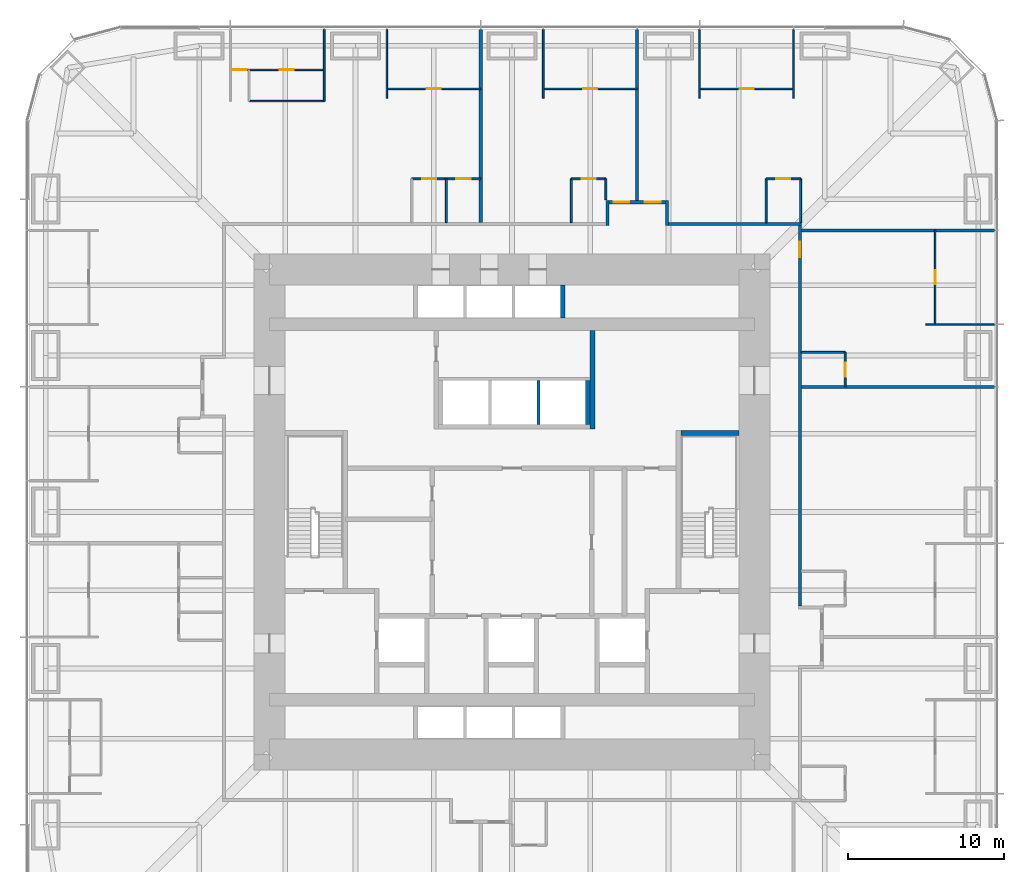
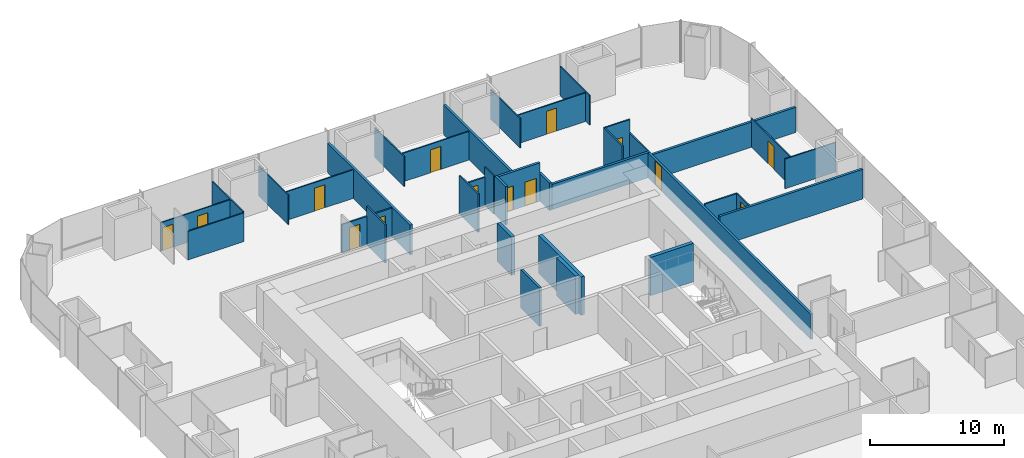
# One storey, part 15 of 17: 36 walls, 14 doors, 14 openings.
"""IFC4 building model written with IfcOpenShell, lengths in metres."""

from ifc_helpers import new_model, si_unit, direction, frame, frame_2d, origin, place, context, subcontext, project, spatial, rectangle, extrude, material, layer, layer_set, type_object, element, fill, save


model = new_model("IFC4")

# Units and contexts
model_context = context("Model", 3, precision=1e-05, world=origin(), true_north=direction((0.0, 1.0)))
body_context = subcontext(model_context, "Body", "Model", "MODEL_VIEW")
ifc_project = project(units=[si_unit("LENGTHUNIT", "METRE"), si_unit("AREAUNIT", "SQUARE_METRE"), si_unit("VOLUMEUNIT", "CUBIC_METRE"), si_unit("PLANEANGLEUNIT", "RADIAN"), si_unit("MASSUNIT", "GRAM", prefix="KILO")], contexts=[model_context])

# Site, building, storey
site_placement = place(None, origin())
site = spatial("IfcSite", under=ifc_project, at=site_placement, CompositionType="ELEMENT")
building_placement = place(site_placement, origin())
building = spatial("IfcBuilding", under=site, at=building_placement, Name="Khuree Lantern Residences", CompositionType="ELEMENT")
storey_placement = place(building_placement, frame((0.0, 0.0, 88.5)))
storey = spatial("IfcBuildingStorey", under=building, at=storey_placement, Name="L22", CompositionType="ELEMENT", Elevation=88.5)

# Wall, opening, door
ifc_material_1 = material(Name="Moisture-resistant gypsum board on steel studs", Category="steel")
ifc_layer_1 = layer(ifc_material_1, 0.125)
ifc_layer_set_1 = layer_set([ifc_layer_1], Name="BATHROOM WALL BTW125")
wall_type_1 = type_object("IfcWallType", Name="BATHROOM WALL BTW125", PredefinedType="PARTITIONING", material=ifc_layer_set_1)
wall_1_placement = place(storey_placement, frame((21.300048828125, 8.0, 0.0), z_axis=(0.0, 0.0, 1.0), x_axis=(0.0, 1.0, 0.0)))
wall_1 = element("IfcWall", 1, at=wall_1_placement, inside=storey, type_object=wall_type_1, Name="L22 BATHROOM WALL 02", PredefinedType="PARTITIONING", context=body_context, shape_type="SweptSolid", body=[
    extrude(rectangle(XDim=2.199951171875, YDim=0.125, at=frame_2d((1.10009765625, 0.0))), origin(), (0.0, 0.0, 1.0), 2.491943359375),
])
opening_1_placement = place(wall_1_placement, frame((0.64990234375, 0.0, 0.0)))
opening_1 = element("IfcOpeningElement", 2, at=opening_1_placement, cuts=wall_1, Name="Opening 22-025", PredefinedType="OPENING", context=body_context, shape_type="SweptSolid", body=[
    extrude(rectangle(XDim=0.89990234375, YDim=2.10009765625, at=frame_2d((0.449951171875, 1.050048828125))), frame((0.0, 0.072509765625, 0.0), z_axis=(0.0, -1.0, 0.0), x_axis=(1.0, 0.0, 0.0)), (0.0, 0.0, 1.0), 0.14501953125),
])
ifc_material_2 = material(Name="Timber door leaf in hardwood frame", Category="wood")
door_type_1 = type_object("IfcDoorType", Name="BATHROOM DOOR 900X2100", OperationType="SINGLE_SWING_LEFT", PredefinedType="DOOR", material=ifc_material_2)
door_1_placement = place(opening_1_placement, origin())
door_1 = element("IfcDoor", 3, at=door_1_placement, inside=storey, type_object=door_type_1, Name="Bathroom door 22-025", OperationType="SINGLE_SWING_LEFT", OverallHeight=2.10009765625, OverallWidth=0.89990234375, PredefinedType="DOOR", context=body_context, shape_type="SweptSolid", body=[
    extrude(rectangle(XDim=0.89990234375, YDim=2.10009765625, at=frame_2d((0.449951171875, 1.050048828125))), frame((0.0, 0.02490234375, 0.0), z_axis=(0.0, -1.0, 0.0), x_axis=(1.0, 0.0, 0.0)), (0.0, 0.0, 1.0), 0.050048828125),
])
fill(opening_1, door_1)

# Wall
wall_2_placement = place(storey_placement, frame((18.5, 10.199951171875, 0.0), z_axis=(0.0, 0.0, 1.0), x_axis=(1.0, 0.0, 0.0)))
element("IfcWall", 4, at=wall_2_placement, inside=storey, type_object=wall_type_1, Name="L22 BATHROOM WALL 02", PredefinedType="PARTITIONING", context=body_context, shape_type="SweptSolid", body=[
    extrude(rectangle(XDim=2.800048828125, YDim=0.125, at=frame_2d((1.39990234375, 0.0))), origin(), (0.0, 0.0, 1.0), 2.491943359375),
])

# Wall, opening, door
wall_3_placement = place(storey_placement, frame((18.449951171875, 21.300048828125, 0.0), z_axis=(0.0, 0.0, 1.0), x_axis=(-1.0, 0.0, 0.0)))
wall_3 = element("IfcWall", 5, at=wall_3_placement, inside=storey, type_object=wall_type_1, Name="L22 BATHROOM WALL 03", PredefinedType="PARTITIONING", context=body_context, shape_type="SweptSolid", body=[
    extrude(rectangle(XDim=2.199951171875, YDim=0.125, at=frame_2d((1.10009765625, 0.0))), origin(), (0.0, 0.0, 1.0), 3.5),
])
opening_2_placement = place(wall_3_placement, frame((0.64990234375, 0.0, 0.0)))
opening_2 = element("IfcOpeningElement", 6, at=opening_2_placement, cuts=wall_3, Name="Opening 22-028", PredefinedType="OPENING", context=body_context, shape_type="SweptSolid", body=[
    extrude(rectangle(XDim=0.89990234375, YDim=2.10009765625, at=frame_2d((0.449951171875, 1.050048828125))), frame((0.0, 0.072509765625, 0.0), z_axis=(0.0, -1.0, 0.0), x_axis=(1.0, 0.0, 0.0)), (0.0, 0.0, 1.0), 0.14501953125),
])
door_2_placement = place(opening_2_placement, origin())
door_2 = element("IfcDoor", 7, at=door_2_placement, inside=storey, type_object=door_type_1, Name="Bathroom door 22-028", OperationType="SINGLE_SWING_LEFT", OverallHeight=2.10009765625, OverallWidth=0.89990234375, PredefinedType="DOOR", context=body_context, shape_type="SweptSolid", body=[
    extrude(rectangle(XDim=0.89990234375, YDim=2.10009765625, at=frame_2d((0.449951171875, 1.050048828125))), frame((0.0, 0.02490234375, 0.0), z_axis=(0.0, -1.0, 0.0), x_axis=(1.0, 0.0, 0.0)), (0.0, 0.0, 1.0), 0.050048828125),
])
fill(opening_2, door_2)

# Walls
wall_4_placement = place(storey_placement, frame((18.449951171875, 18.5, 0.0), z_axis=(0.0, 0.0, 1.0), x_axis=(0.0, 1.0, 0.0)))
element("IfcWall", 8, at=wall_4_placement, inside=storey, type_object=wall_type_1, Name="L22 BATHROOM WALL 03", PredefinedType="PARTITIONING", context=body_context, shape_type="SweptSolid", body=[
    extrude(rectangle(XDim=2.800048828125, YDim=0.125, at=frame_2d((1.39990234375, 0.0))), origin(), (0.0, 0.0, 1.0), 2.300048828125),
])
wall_5_placement = place(storey_placement, frame((16.25, 18.5, 0.0), z_axis=(0.0, 0.0, 1.0), x_axis=(0.0, 1.0, 0.0)))
element("IfcWall", 9, at=wall_5_placement, inside=storey, type_object=wall_type_1, Name="L22 BATHROOM WALL 03", PredefinedType="PARTITIONING", context=body_context, shape_type="SweptSolid", body=[
    extrude(rectangle(XDim=2.800048828125, YDim=0.125, at=frame_2d((1.39990234375, 0.0))), origin(), (0.0, 0.0, 1.0), 3.5),
])

# Wall, opening, door
wall_6_placement = place(storey_placement, frame((6.0, 21.300048828125, 0.0), z_axis=(0.0, 0.0, 1.0), x_axis=(-1.0, 0.0, 0.0)))
wall_6 = element("IfcWall", 10, at=wall_6_placement, inside=storey, type_object=wall_type_1, Name="L22 BATHROOM WALL 04", PredefinedType="PARTITIONING", context=body_context, shape_type="SweptSolid", body=[
    extrude(rectangle(XDim=2.199951171875, YDim=0.125, at=frame_2d((1.10009765625, 0.0))), origin(), (0.0, 0.0, 1.0), 2.610107421875),
])
opening_3_placement = place(wall_6_placement, frame((0.64990234375, 0.0, 0.0)))
opening_3 = element("IfcOpeningElement", 11, at=opening_3_placement, cuts=wall_6, Name="Opening 22-031", PredefinedType="OPENING", context=body_context, shape_type="SweptSolid", body=[
    extrude(rectangle(XDim=0.89990234375, YDim=2.10009765625, at=frame_2d((0.449951171875, 1.050048828125))), frame((0.0, 0.072509765625, 0.0), z_axis=(0.0, -1.0, 0.0), x_axis=(1.0, 0.0, 0.0)), (0.0, 0.0, 1.0), 0.14501953125),
])
door_3_placement = place(opening_3_placement, origin())
door_3 = element("IfcDoor", 12, at=door_3_placement, inside=storey, type_object=door_type_1, Name="Bathroom door 22-031", OperationType="SINGLE_SWING_LEFT", OverallHeight=2.10009765625, OverallWidth=0.89990234375, PredefinedType="DOOR", context=body_context, shape_type="SweptSolid", body=[
    extrude(rectangle(XDim=0.89990234375, YDim=2.10009765625, at=frame_2d((0.449951171875, 1.050048828125))), frame((0.0, 0.02490234375, 0.0), z_axis=(0.0, -1.0, 0.0), x_axis=(1.0, 0.0, 0.0)), (0.0, 0.0, 1.0), 0.050048828125),
])
fill(opening_3, door_3)

# Walls
wall_7_placement = place(storey_placement, frame((6.0, 19.969970703125, 0.0), z_axis=(0.0, 0.0, 1.0), x_axis=(0.0, 1.0, 0.0)))
element("IfcWall", 13, at=wall_7_placement, inside=storey, type_object=wall_type_1, Name="L22 BATHROOM WALL 04", PredefinedType="PARTITIONING", context=body_context, shape_type="SweptSolid", body=[
    extrude(rectangle(XDim=1.330078125, YDim=0.125, at=frame_2d((0.6650390625, 0.0))), origin(), (0.0, 0.0, 1.0), 3.5),
])
wall_8_placement = place(storey_placement, frame((3.800048828125, 18.5, 0.0), z_axis=(0.0, 0.0, 1.0), x_axis=(0.0, 1.0, 0.0)))
element("IfcWall", 14, at=wall_8_placement, inside=storey, type_object=wall_type_1, Name="L22 BATHROOM WALL 04", PredefinedType="PARTITIONING", context=body_context, shape_type="SweptSolid", body=[
    extrude(rectangle(XDim=2.800048828125, YDim=0.125, at=frame_2d((1.39990234375, 0.0))), origin(), (0.0, 0.0, 1.0), 3.5),
])

# Wall, openings, doors
wall_9_placement = place(storey_placement, frame((-2.0, 21.300048828125, 0.0), z_axis=(0.0, 0.0, 1.0), x_axis=(-1.0, 0.0, 0.0)))
wall_9 = element("IfcWall", 15, at=wall_9_placement, inside=storey, type_object=wall_type_1, Name="L22 BATHROOM WALL 05", PredefinedType="PARTITIONING", context=body_context, shape_type="SweptSolid", body=[
    extrude(rectangle(XDim=4.39990234375, YDim=0.125, at=frame_2d((2.199951171875, 0.0))), origin(), (0.0, 0.0, 1.0), 2.610107421875),
])
opening_4_placement = place(wall_9_placement, frame((0.64990234375, 0.0, 0.0)))
opening_4 = element("IfcOpeningElement", 16, at=opening_4_placement, cuts=wall_9, Name="Opening 22-037", PredefinedType="OPENING", context=body_context, shape_type="SweptSolid", body=[
    extrude(rectangle(XDim=0.89990234375, YDim=2.10009765625, at=frame_2d((0.449951171875, 1.050048828125))), frame((0.0, 0.072509765625, 0.0), z_axis=(0.0, -1.0, 0.0), x_axis=(1.0, 0.0, 0.0)), (0.0, 0.0, 1.0), 0.14501953125),
])
opening_5_placement = place(wall_9_placement, frame((2.85009765625, 0.0, 0.0)))
opening_5 = element("IfcOpeningElement", 17, at=opening_5_placement, cuts=wall_9, Name="Opening 22-038", PredefinedType="OPENING", context=body_context, shape_type="SweptSolid", body=[
    extrude(rectangle(XDim=0.89990234375, YDim=2.10009765625, at=frame_2d((0.449951171875, 1.050048828125))), frame((0.0, 0.072509765625, 0.0), z_axis=(0.0, -1.0, 0.0), x_axis=(1.0, 0.0, 0.0)), (0.0, 0.0, 1.0), 0.14501953125),
])
door_4_placement = place(opening_4_placement, origin())
door_4 = element("IfcDoor", 18, at=door_4_placement, inside=storey, type_object=door_type_1, Name="Bathroom door 22-037", OperationType="SINGLE_SWING_LEFT", OverallHeight=2.10009765625, OverallWidth=0.89990234375, PredefinedType="DOOR", context=body_context, shape_type="SweptSolid", body=[
    extrude(rectangle(XDim=0.89990234375, YDim=2.10009765625, at=frame_2d((0.449951171875, 1.050048828125))), frame((0.0, 0.02490234375, 0.0), z_axis=(0.0, -1.0, 0.0), x_axis=(1.0, 0.0, 0.0)), (0.0, 0.0, 1.0), 0.050048828125),
])
fill(opening_4, door_4)
door_5_placement = place(opening_5_placement, origin())
door_5 = element("IfcDoor", 19, at=door_5_placement, inside=storey, type_object=door_type_1, Name="Bathroom door 22-038", OperationType="SINGLE_SWING_LEFT", OverallHeight=2.10009765625, OverallWidth=0.89990234375, PredefinedType="DOOR", context=body_context, shape_type="SweptSolid", body=[
    extrude(rectangle(XDim=0.89990234375, YDim=2.10009765625, at=frame_2d((0.449951171875, 1.050048828125))), frame((0.0, 0.02490234375, 0.0), z_axis=(0.0, -1.0, 0.0), x_axis=(1.0, 0.0, 0.0)), (0.0, 0.0, 1.0), 0.050048828125),
])
fill(opening_5, door_5)

# Walls
wall_10_placement = place(storey_placement, frame((-4.199951171875, 18.5, 0.0), z_axis=(0.0, 0.0, 1.0), x_axis=(0.0, 1.0, 0.0)))
element("IfcWall", 20, at=wall_10_placement, inside=storey, type_object=wall_type_1, Name="L22 BATHROOM WALL 05", PredefinedType="PARTITIONING", context=body_context, shape_type="SweptSolid", body=[
    extrude(rectangle(XDim=2.800048828125, YDim=0.125, at=frame_2d((1.39990234375, 0.0))), origin(), (0.0, 0.0, 1.0), 3.5),
])
ifc_material_3 = material(Name="Dense concrete blockwork", Category="masonry")
ifc_layer_2 = layer(ifc_material_3, 0.300048828125)
ifc_layer_set_2 = layer_set([ifc_layer_2], Name="CORE PARTITION WALL CPW300 EI 120")
wall_type_2 = type_object("IfcWallType", Name="CORE PARTITION WALL CPW300 EI 120", PredefinedType="PARTITIONING", material=ifc_layer_set_2)
wall_11_placement = place(storey_placement, frame((4.85009765625, 5.60009765625, 0.0), z_axis=(0.0, 0.0, 1.0), x_axis=(0.0, 1.0, 0.0)))
element("IfcWall", 21, at=wall_11_placement, inside=storey, type_object=wall_type_2, Name="L22 CORE WALL PHE", PredefinedType="PARTITIONING", context=body_context, shape_type="SweptSolid", body=[
    extrude(rectangle(XDim=2.7998046875, YDim=0.300048828125, at=frame_2d((1.39990234375, 0.0))), origin(), (0.0, 0.0, 1.0), 3.5),
])
wall_12_placement = place(storey_placement, frame((3.25, 12.39990234375, 0.0), z_axis=(0.0, 0.0, 1.0), x_axis=(0.0, 1.0, 0.0)))
element("IfcWall", 22, at=wall_12_placement, inside=storey, type_object=wall_type_2, Name="L22 CORE WALL PLE", PredefinedType="PARTITIONING", context=body_context, shape_type="SweptSolid", body=[
    extrude(rectangle(XDim=2.10009765625, YDim=0.300048828125, at=frame_2d((1.050048828125, 0.0))), origin(), (0.0, 0.0, 1.0), 3.5),
])
wall_13_placement = place(storey_placement, frame((5.14990234375, 5.300048828125, 0.0), z_axis=(0.0, 0.0, 1.0), x_axis=(0.0, 1.0, 0.0)))
element("IfcWall", 23, at=wall_13_placement, inside=storey, type_object=wall_type_2, Name="L22 CORE WALL NE", PredefinedType="PARTITIONING", context=body_context, shape_type="SweptSolid", body=[
    extrude(rectangle(XDim=6.300048828125, YDim=0.300048828125, at=frame_2d((3.14990234375, 0.0))), origin(), (0.0, 0.0, 1.0), 3.5),
])

# Wall, opening, door
ifc_material_4 = material(Name="Gypsum board on steel studs", Category="steel")
ifc_layer_3 = layer(ifc_material_4, 0.199951171875)
ifc_layer_set_3 = layer_set([ifc_layer_3], Name="CORRIDOR WALL CRW200 EI 60")
wall_type_3 = type_object("IfcWallType", Name="CORRIDOR WALL CRW200 EI 60", PredefinedType="PARTITIONING", material=ifc_layer_set_3)
wall_14_placement = place(storey_placement, frame((18.39990234375, -6.0, 0.0), z_axis=(0.0, 0.0, 1.0), x_axis=(0.0, 1.0, 0.0)))
wall_14 = element("IfcWall", 24, at=wall_14_placement, inside=storey, type_object=wall_type_3, Name="L22 CORRIDOR WALL EAST 2", PredefinedType="PARTITIONING", context=body_context, shape_type="SweptSolid", body=[
    extrude(rectangle(XDim=24.300048828125, YDim=0.199951171875, at=frame_2d((12.14990234375, 0.0))), origin(), (0.0, 0.0, 1.0), 2.300048828125),
])
opening_6_placement = place(wall_14_placement, frame((22.27001953125, 0.0, 0.0)))
opening_6 = element("IfcOpeningElement", 25, at=opening_6_placement, cuts=wall_14, Name="Opening 22-026", PredefinedType="OPENING", context=body_context, shape_type="SweptSolid", body=[
    extrude(rectangle(XDim=1.0, YDim=2.199951171875, at=frame_2d((0.5, 1.10009765625))), frame((0.0, 0.10986328125, 0.0), z_axis=(0.0, -1.0, 0.0), x_axis=(1.0, 0.0, 0.0)), (0.0, 0.0, 1.0), 0.219970703125),
])
door_type_2 = type_object("IfcDoorType", Name="APARTMENT ENTRANCE DOOR 1000X2200 EI 30S RIGHT HAND", OperationType="SINGLE_SWING_RIGHT", PredefinedType="DOOR", material=ifc_material_2)
door_6_placement = place(opening_6_placement, origin())
door_6 = element("IfcDoor", 26, at=door_6_placement, inside=storey, type_object=door_type_2, Name="Apartment 02 entrance door 22-026", OperationType="SINGLE_SWING_RIGHT", OverallHeight=2.199951171875, OverallWidth=1.0, PredefinedType="DOOR", context=body_context, shape_type="SweptSolid", body=[
    extrude(rectangle(XDim=1.0, YDim=2.199951171875, at=frame_2d((0.5, 1.10009765625))), frame((0.0, 0.02490234375, 0.0), z_axis=(0.0, -1.0, 0.0), x_axis=(1.0, 0.0, 0.0)), (0.0, 0.0, 1.0), 0.050048828125),
])
fill(opening_6, door_6)

# Walls
wall_15_placement = place(storey_placement, frame((6.10009765625, 18.300048828125, 0.0), z_axis=(0.0, 0.0, 1.0), x_axis=(0.0, 1.0, 0.0)))
element("IfcWall", 27, at=wall_15_placement, inside=storey, type_object=wall_type_3, Name="L22 CORRIDOR ALCOVE WALL NORTH", PredefinedType="PARTITIONING", context=body_context, shape_type="SweptSolid", body=[
    extrude(rectangle(XDim=1.599853515625, YDim=0.199951171875, at=frame_2d((0.7998046875, 0.0))), origin(), (0.0, 0.0, 1.0), 3.5),
])
wall_16_placement = place(storey_placement, frame((9.89990234375, 18.300048828125, 0.0), z_axis=(0.0, 0.0, 1.0), x_axis=(0.0, 1.0, 0.0)))
element("IfcWall", 28, at=wall_16_placement, inside=storey, type_object=wall_type_3, Name="L22 CORRIDOR ALCOVE WALL NORTH", PredefinedType="PARTITIONING", context=body_context, shape_type="SweptSolid", body=[
    extrude(rectangle(XDim=1.599853515625, YDim=0.199951171875, at=frame_2d((0.7998046875, 0.0))), origin(), (0.0, 0.0, 1.0), 2.491943359375),
])

# Wall, openings, doors
wall_17_placement = place(storey_placement, frame((6.199951171875, 19.800048828125, 0.0), z_axis=(0.0, 0.0, 1.0), x_axis=(1.0, 0.0, 0.0)))
wall_17 = element("IfcWall", 29, at=wall_17_placement, inside=storey, type_object=wall_type_3, Name="L22 CORRIDOR ALCOVE WALL NORTH", PredefinedType="PARTITIONING", context=body_context, shape_type="SweptSolid", body=[
    extrude(rectangle(XDim=3.60009765625, YDim=0.199951171875, at=frame_2d((1.800048828125, 0.0))), origin(), (0.0, 0.0, 1.0), 3.5),
])
opening_7_placement = place(wall_17_placement, frame((2.300048828125, 0.0, 0.0)))
opening_7 = element("IfcOpeningElement", 30, at=opening_7_placement, cuts=wall_17, Name="Opening 22-029", PredefinedType="OPENING", context=body_context, shape_type="SweptSolid", body=[
    extrude(rectangle(XDim=1.0, YDim=2.199951171875, at=frame_2d((0.5, 1.10009765625))), frame((0.0, 0.10986328125, 0.0), z_axis=(0.0, -1.0, 0.0), x_axis=(1.0, 0.0, 0.0)), (0.0, 0.0, 1.0), 0.219970703125),
])
opening_8_placement = place(wall_17_placement, frame((0.300048828125, 0.0, 0.0)))
opening_8 = element("IfcOpeningElement", 31, at=opening_8_placement, cuts=wall_17, Name="Opening 22-032", PredefinedType="OPENING", context=body_context, shape_type="SweptSolid", body=[
    extrude(rectangle(XDim=1.0, YDim=2.199951171875, at=frame_2d((0.5, 1.10009765625))), frame((0.0, 0.10986328125, 0.0), z_axis=(0.0, -1.0, 0.0), x_axis=(1.0, 0.0, 0.0)), (0.0, 0.0, 1.0), 0.219970703125),
])
door_type_3 = type_object("IfcDoorType", Name="APARTMENT ENTRANCE DOOR 1000X2200 EI 30S", OperationType="SINGLE_SWING_LEFT", PredefinedType="DOOR", material=ifc_material_2)
door_7_placement = place(opening_7_placement, origin())
door_7 = element("IfcDoor", 32, at=door_7_placement, inside=storey, type_object=door_type_3, Name="Apartment 03 entrance door 22-029", OperationType="SINGLE_SWING_LEFT", OverallHeight=2.199951171875, OverallWidth=1.0, PredefinedType="DOOR", context=body_context, shape_type="SweptSolid", body=[
    extrude(rectangle(XDim=1.0, YDim=2.199951171875, at=frame_2d((0.5, 1.10009765625))), frame((0.0, 0.02490234375, 0.0), z_axis=(0.0, -1.0, 0.0), x_axis=(1.0, 0.0, 0.0)), (0.0, 0.0, 1.0), 0.050048828125),
])
fill(opening_7, door_7)
door_8_placement = place(opening_8_placement, origin())
door_8 = element("IfcDoor", 33, at=door_8_placement, inside=storey, type_object=door_type_3, Name="Apartment 04 entrance door 22-032", OperationType="SINGLE_SWING_LEFT", OverallHeight=2.199951171875, OverallWidth=1.0, PredefinedType="DOOR", context=body_context, shape_type="SweptSolid", body=[
    extrude(rectangle(XDim=1.0, YDim=2.199951171875, at=frame_2d((0.5, 1.10009765625))), frame((0.0, 0.02490234375, 0.0), z_axis=(0.0, -1.0, 0.0), x_axis=(1.0, 0.0, 0.0)), (0.0, 0.0, 1.0), 0.050048828125),
])
fill(opening_8, door_8)

# Walls
wall_18_placement = place(storey_placement, frame((10.0, 18.39990234375, 0.0), z_axis=(0.0, 0.0, 1.0), x_axis=(1.0, 0.0, 0.0)))
element("IfcWall", 34, at=wall_18_placement, inside=storey, type_object=wall_type_3, Name="L22 CORRIDOR WALL NORTH 2", PredefinedType="PARTITIONING", context=body_context, shape_type="SweptSolid", body=[
    extrude(rectangle(XDim=8.5, YDim=0.199951171875, at=frame_2d((4.25, 0.0))), origin(), (0.0, 0.0, 1.0), 2.300048828125),
])
ifc_layer_4 = layer(ifc_material_4, 0.199951171875)
ifc_layer_set_4 = layer_set([ifc_layer_4], Name="DEMISING WALL DMW200 EI 90")
wall_type_4 = type_object("IfcWallType", Name="DEMISING WALL DMW200 EI 90", PredefinedType="PARTITIONING", material=ifc_layer_set_4)
wall_19_placement = place(storey_placement, frame((18.5, 8.0, 0.0), z_axis=(0.0, 0.0, 1.0), x_axis=(1.0, 0.0, 0.0)))
element("IfcWall", 35, at=wall_19_placement, inside=storey, type_object=wall_type_4, Name="L22 DEMISING WALL 02", PredefinedType="PARTITIONING", context=body_context, shape_type="SweptSolid", body=[
    extrude(rectangle(XDim=12.35009765625, YDim=0.199951171875, at=frame_2d((6.175048828125, 0.0))), origin(), (0.0, 0.0, 1.0), 2.7099609375),
])
wall_20_placement = place(storey_placement, frame((18.5, 18.0, 0.0), z_axis=(0.0, 0.0, 1.0), x_axis=(1.0, 0.0, 0.0)))
element("IfcWall", 36, at=wall_20_placement, inside=storey, type_object=wall_type_4, Name="L22 DEMISING WALL 03", PredefinedType="PARTITIONING", context=body_context, shape_type="SweptSolid", body=[
    extrude(rectangle(XDim=12.35009765625, YDim=0.199951171875, at=frame_2d((6.175048828125, 0.0))), origin(), (0.0, 0.0, 1.0), 2.300048828125),
])
wall_21_placement = place(storey_placement, frame((8.0, 19.89990234375, 0.0), z_axis=(0.0, 0.0, 1.0), x_axis=(0.0, 1.0, 0.0)))
element("IfcWall", 37, at=wall_21_placement, inside=storey, type_object=wall_type_4, Name="L22 DEMISING WALL 04", PredefinedType="PARTITIONING", context=body_context, shape_type="SweptSolid", body=[
    extrude(rectangle(XDim=10.9501953125, YDim=0.199951171875, at=frame_2d((5.47509765625, 0.0))), origin(), (0.0, 0.0, 1.0), 2.7099609375),
])
wall_22_placement = place(storey_placement, frame((-2.0, 18.5, 0.0), z_axis=(0.0, 0.0, 1.0), x_axis=(0.0, 1.0, 0.0)))
element("IfcWall", 38, at=wall_22_placement, inside=storey, type_object=wall_type_4, Name="L22 DEMISING WALL 05", PredefinedType="PARTITIONING", context=body_context, shape_type="SweptSolid", body=[
    extrude(rectangle(XDim=12.35009765625, YDim=0.199951171875, at=frame_2d((6.175048828125, 0.0))), origin(), (0.0, 0.0, 1.0), 2.7099609375),
])
ifc_layer_5 = layer(ifc_material_4, 0.10009765625)
ifc_layer_set_5 = layer_set([ifc_layer_5], Name="PARTITION PT100")
wall_type_5 = type_object("IfcWallType", Name="PARTITION PT100", PredefinedType="PARTITIONING", material=ifc_layer_set_5)
for number, where, z_axis, x_axis, name in (
    (39, (26.449951171875, 12.0, 0.0), (0.0, 0.0, 1.0), (1.0, 0.0, 0.0), "L22 PARTITION 02"),
    (40, (18.0, 26.449951171875, 0.0), (0.0, 0.0, 1.0), (0.0, 1.0, 0.0), "L22 PARTITION 03"),
    (41, (12.0, 26.449951171875, 0.0), (0.0, 0.0, 1.0), (0.0, 1.0, 0.0), "L22 PARTITION 03"),
    (42, (2.0, 26.449951171875, 0.0), (0.0, 0.0, 1.0), (0.0, 1.0, 0.0), "L22 PARTITION 04"),
    (43, (-8.0, 26.449951171875, 0.0), (0.0, 0.0, 1.0), (0.0, 1.0, 0.0), "L22 PARTITION 05"),
):
    element("IfcWall", number, at=place(storey_placement, frame(where, z_axis=z_axis, x_axis=x_axis)), inside=storey, type_object=wall_type_5, Name=name, PredefinedType="PARTITIONING", context=body_context, shape_type="SweptSolid", body=[
        extrude(rectangle(XDim=4.400146484375, YDim=0.10009765625, at=frame_2d((2.2001953125, 0.0))), origin(), (0.0, 0.0, 1.0), 2.7099609375),
    ])
wall_23_placement = place(storey_placement, frame((-12.0, 26.2666015625, 0.0), z_axis=(0.0, 0.0, 1.0), x_axis=(0.0, 1.0, 0.0)))
element("IfcWall", 44, at=wall_23_placement, inside=storey, type_object=wall_type_5, Name="L22 PARTITION 05", PredefinedType="PARTITIONING", context=body_context, shape_type="SweptSolid", body=[
    extrude(rectangle(XDim=4.58349609375, YDim=0.10009765625, at=frame_2d((2.291748046875, 0.0))), origin(), (0.0, 0.0, 1.0), 2.7099609375),
])

# Wall, opening, door
wall_24_placement = place(storey_placement, frame((27.050048828125, 12.0, 0.0), z_axis=(0.0, 0.0, 1.0), x_axis=(0.0, 1.0, 0.0)))
wall_24 = element("IfcWall", 45, at=wall_24_placement, inside=storey, type_object=wall_type_5, Name="L22 PARTITION 02", PredefinedType="PARTITIONING", context=body_context, shape_type="SweptSolid", body=[
    extrude(rectangle(XDim=6.0, YDim=0.10009765625, at=frame_2d((3.0, 0.0))), origin(), (0.0, 0.0, 1.0), 2.610107421875),
])
opening_9_placement = place(wall_24_placement, frame((2.550048828125, 0.0, 0.0)))
opening_9 = element("IfcOpeningElement", 46, at=opening_9_placement, cuts=wall_24, Name="Opening 22-024", PredefinedType="OPENING", context=body_context, shape_type="SweptSolid", body=[
    extrude(rectangle(XDim=0.89990234375, YDim=2.10009765625, at=frame_2d((0.449951171875, 1.050048828125))), frame((0.0, 0.06005859375, 0.0), z_axis=(0.0, -1.0, 0.0), x_axis=(1.0, 0.0, 0.0)), (0.0, 0.0, 1.0), 0.1201171875),
])
door_type_4 = type_object("IfcDoorType", Name="BEDROOM DOOR 900X2100 RIGHT HAND", OperationType="SINGLE_SWING_RIGHT", PredefinedType="DOOR", material=ifc_material_2)
door_9_placement = place(opening_9_placement, origin())
door_9 = element("IfcDoor", 47, at=door_9_placement, inside=storey, type_object=door_type_4, Name="Bedroom door 22-024", OperationType="SINGLE_SWING_RIGHT", OverallHeight=2.10009765625, OverallWidth=0.89990234375, PredefinedType="DOOR", context=body_context, shape_type="SweptSolid", body=[
    extrude(rectangle(XDim=0.89990234375, YDim=2.10009765625, at=frame_2d((0.449951171875, 1.050048828125))), frame((0.0, 0.02490234375, 0.0), z_axis=(0.0, -1.0, 0.0), x_axis=(1.0, 0.0, 0.0)), (0.0, 0.0, 1.0), 0.050048828125),
])
fill(opening_9, door_9)

wall_25_placement = place(storey_placement, frame((18.0, 27.050048828125, 0.0), z_axis=(0.0, 0.0, 1.0), x_axis=(-1.0, 0.0, 0.0)))
wall_25 = element("IfcWall", 48, at=wall_25_placement, inside=storey, type_object=wall_type_5, Name="L22 PARTITION 03", PredefinedType="PARTITIONING", context=body_context, shape_type="SweptSolid", body=[
    extrude(rectangle(XDim=6.0, YDim=0.10009765625, at=frame_2d((3.0, 0.0))), origin(), (0.0, 0.0, 1.0), 2.610107421875),
])
opening_10_placement = place(wall_25_placement, frame((2.550048828125, 0.0, 0.0)))
opening_10 = element("IfcOpeningElement", 49, at=opening_10_placement, cuts=wall_25, Name="Opening 22-027", PredefinedType="OPENING", context=body_context, shape_type="SweptSolid", body=[
    extrude(rectangle(XDim=0.89990234375, YDim=2.10009765625, at=frame_2d((0.449951171875, 1.050048828125))), frame((0.0, 0.06005859375, 0.0), z_axis=(0.0, -1.0, 0.0), x_axis=(1.0, 0.0, 0.0)), (0.0, 0.0, 1.0), 0.1201171875),
])
door_type_5 = type_object("IfcDoorType", Name="BEDROOM DOOR 900X2100", OperationType="SINGLE_SWING_LEFT", PredefinedType="DOOR", material=ifc_material_2)
door_10_placement = place(opening_10_placement, origin())
door_10 = element("IfcDoor", 50, at=door_10_placement, inside=storey, type_object=door_type_5, Name="Bedroom door 22-027", OperationType="SINGLE_SWING_LEFT", OverallHeight=2.10009765625, OverallWidth=0.89990234375, PredefinedType="DOOR", context=body_context, shape_type="SweptSolid", body=[
    extrude(rectangle(XDim=0.89990234375, YDim=2.10009765625, at=frame_2d((0.449951171875, 1.050048828125))), frame((0.0, 0.02490234375, 0.0), z_axis=(0.0, -1.0, 0.0), x_axis=(1.0, 0.0, 0.0)), (0.0, 0.0, 1.0), 0.050048828125),
])
fill(opening_10, door_10)

wall_26_placement = place(storey_placement, frame((8.0, 27.050048828125, 0.0), z_axis=(0.0, 0.0, 1.0), x_axis=(-1.0, 0.0, 0.0)))
wall_26 = element("IfcWall", 51, at=wall_26_placement, inside=storey, type_object=wall_type_5, Name="L22 PARTITION 04", PredefinedType="PARTITIONING", context=body_context, shape_type="SweptSolid", body=[
    extrude(rectangle(XDim=6.0, YDim=0.10009765625, at=frame_2d((3.0, 0.0))), origin(), (0.0, 0.0, 1.0), 2.610107421875),
])
opening_11_placement = place(wall_26_placement, frame((2.550048828125, 0.0, 0.0)))
opening_11 = element("IfcOpeningElement", 52, at=opening_11_placement, cuts=wall_26, Name="Opening 22-030", PredefinedType="OPENING", context=body_context, shape_type="SweptSolid", body=[
    extrude(rectangle(XDim=0.89990234375, YDim=2.10009765625, at=frame_2d((0.449951171875, 1.050048828125))), frame((0.0, 0.06005859375, 0.0), z_axis=(0.0, -1.0, 0.0), x_axis=(1.0, 0.0, 0.0)), (0.0, 0.0, 1.0), 0.1201171875),
])
door_11_placement = place(opening_11_placement, origin())
door_11 = element("IfcDoor", 53, at=door_11_placement, inside=storey, type_object=door_type_5, Name="Bedroom door 22-030", OperationType="SINGLE_SWING_LEFT", OverallHeight=2.10009765625, OverallWidth=0.89990234375, PredefinedType="DOOR", context=body_context, shape_type="SweptSolid", body=[
    extrude(rectangle(XDim=0.89990234375, YDim=2.10009765625, at=frame_2d((0.449951171875, 1.050048828125))), frame((0.0, 0.02490234375, 0.0), z_axis=(0.0, -1.0, 0.0), x_axis=(1.0, 0.0, 0.0)), (0.0, 0.0, 1.0), 0.050048828125),
])
fill(opening_11, door_11)

wall_27_placement = place(storey_placement, frame((-2.0, 27.050048828125, 0.0), z_axis=(0.0, 0.0, 1.0), x_axis=(-1.0, 0.0, 0.0)))
wall_27 = element("IfcWall", 54, at=wall_27_placement, inside=storey, type_object=wall_type_5, Name="L22 PARTITION 05", PredefinedType="PARTITIONING", context=body_context, shape_type="SweptSolid", body=[
    extrude(rectangle(XDim=6.0, YDim=0.10009765625, at=frame_2d((3.0, 0.0))), origin(), (0.0, 0.0, 1.0), 2.610107421875),
])
opening_12_placement = place(wall_27_placement, frame((2.550048828125, 0.0, 0.0)))
opening_12 = element("IfcOpeningElement", 55, at=opening_12_placement, cuts=wall_27, Name="Opening 22-033", PredefinedType="OPENING", context=body_context, shape_type="SweptSolid", body=[
    extrude(rectangle(XDim=0.89990234375, YDim=2.10009765625, at=frame_2d((0.449951171875, 1.050048828125))), frame((0.0, 0.06005859375, 0.0), z_axis=(0.0, -1.0, 0.0), x_axis=(1.0, 0.0, 0.0)), (0.0, 0.0, 1.0), 0.1201171875),
])
door_12_placement = place(opening_12_placement, origin())
door_12 = element("IfcDoor", 56, at=door_12_placement, inside=storey, type_object=door_type_5, Name="Bedroom door 22-033", OperationType="SINGLE_SWING_LEFT", OverallHeight=2.10009765625, OverallWidth=0.89990234375, PredefinedType="DOOR", context=body_context, shape_type="SweptSolid", body=[
    extrude(rectangle(XDim=0.89990234375, YDim=2.10009765625, at=frame_2d((0.449951171875, 1.050048828125))), frame((0.0, 0.02490234375, 0.0), z_axis=(0.0, -1.0, 0.0), x_axis=(1.0, 0.0, 0.0)), (0.0, 0.0, 1.0), 0.050048828125),
])
fill(opening_12, door_12)

# Wall, openings, doors
wall_28_placement = place(storey_placement, frame((-12.0, 28.2666015625, 0.0), z_axis=(0.0, 0.0, 1.0), x_axis=(-1.0, 0.0, 0.0)))
wall_28 = element("IfcWall", 57, at=wall_28_placement, inside=storey, type_object=wall_type_5, Name="L22 PARTITION 05", PredefinedType="PARTITIONING", context=body_context, shape_type="SweptSolid", body=[
    extrude(rectangle(XDim=6.0, YDim=0.10009765625, at=frame_2d((3.0, 0.0))), origin(), (0.0, 0.0, 1.0), 2.610107421875),
])
opening_13_placement = place(wall_28_placement, frame((4.949951171875, 0.0, 0.0)))
opening_13 = element("IfcOpeningElement", 58, at=opening_13_placement, cuts=wall_28, Name="Opening 22-034", PredefinedType="OPENING", context=body_context, shape_type="SweptSolid", body=[
    extrude(rectangle(XDim=0.89990234375, YDim=2.10009765625, at=frame_2d((0.449951171875, 1.050048828125))), frame((0.0, 0.06005859375, 0.0), z_axis=(0.0, -1.0, 0.0), x_axis=(1.0, 0.0, 0.0)), (0.0, 0.0, 1.0), 0.1201171875),
])
opening_14_placement = place(wall_28_placement, frame((1.949951171875, 0.0, 0.0)))
opening_14 = element("IfcOpeningElement", 59, at=opening_14_placement, cuts=wall_28, Name="Opening 22-035", PredefinedType="OPENING", context=body_context, shape_type="SweptSolid", body=[
    extrude(rectangle(XDim=0.89990234375, YDim=2.10009765625, at=frame_2d((0.449951171875, 1.050048828125))), frame((0.0, 0.06005859375, 0.0), z_axis=(0.0, -1.0, 0.0), x_axis=(1.0, 0.0, 0.0)), (0.0, 0.0, 1.0), 0.1201171875),
])
door_13_placement = place(opening_13_placement, origin())
door_13 = element("IfcDoor", 60, at=door_13_placement, inside=storey, type_object=door_type_5, Name="Bedroom door 22-034", OperationType="SINGLE_SWING_LEFT", OverallHeight=2.10009765625, OverallWidth=0.89990234375, PredefinedType="DOOR", context=body_context, shape_type="SweptSolid", body=[
    extrude(rectangle(XDim=0.89990234375, YDim=2.10009765625, at=frame_2d((0.449951171875, 1.050048828125))), frame((0.0, 0.02490234375, 0.0), z_axis=(0.0, -1.0, 0.0), x_axis=(1.0, 0.0, 0.0)), (0.0, 0.0, 1.0), 0.050048828125),
])
fill(opening_13, door_13)
door_type_6 = type_object("IfcDoorType", Name="DOOR 900X2100", OperationType="SINGLE_SWING_LEFT", PredefinedType="DOOR", material=ifc_material_2)
door_14_placement = place(opening_14_placement, origin())
door_14 = element("IfcDoor", 61, at=door_14_placement, inside=storey, type_object=door_type_6, Name="Wardrobe door 22-035", OperationType="SINGLE_SWING_LEFT", OverallHeight=2.10009765625, OverallWidth=0.89990234375, PredefinedType="DOOR", context=body_context, shape_type="SweptSolid", body=[
    extrude(rectangle(XDim=0.89990234375, YDim=2.10009765625, at=frame_2d((0.449951171875, 1.050048828125))), frame((0.0, 0.02490234375, 0.0), z_axis=(0.0, -1.0, 0.0), x_axis=(1.0, 0.0, 0.0)), (0.0, 0.0, 1.0), 0.050048828125),
])
fill(opening_14, door_14)

# Walls
wall_29_placement = place(storey_placement, frame((-12.0, 26.2666015625, 0.0), z_axis=(0.0, 0.0, 1.0), x_axis=(-1.0, 0.0, 0.0)))
element("IfcWall", 62, at=wall_29_placement, inside=storey, type_object=wall_type_5, Name="L22 PARTITION 05", PredefinedType="PARTITIONING", context=body_context, shape_type="SweptSolid", body=[
    extrude(rectangle(XDim=4.800048828125, YDim=0.10009765625, at=frame_2d((2.39990234375, 0.0))), origin(), (0.0, 0.0, 1.0), 2.610107421875),
])
ifc_layer_6 = layer(ifc_material_3, 0.199951171875)
ifc_layer_set_6 = layer_set([ifc_layer_6], Name="SHAFT WALL SHW200 EI 120")
wall_type_6 = type_object("IfcWallType", Name="SHAFT WALL SHW200 EI 120", PredefinedType="PARTITIONING", material=ifc_layer_set_6)
wall_30_placement = place(storey_placement, frame((1.699951171875, 5.60009765625, 0.0), z_axis=(0.0, 0.0, 1.0), x_axis=(0.0, 1.0, 0.0)))
element("IfcWall", 63, at=wall_30_placement, inside=storey, type_object=wall_type_6, Name="L22 CORE WALL PHD2", PredefinedType="PARTITIONING", context=body_context, shape_type="SweptSolid", body=[
    extrude(rectangle(XDim=2.7998046875, YDim=0.199951171875, at=frame_2d((1.39990234375, 0.0))), origin(), (0.0, 0.0, 1.0), 3.5),
])
ifc_material_5 = material(Name="Concrete C50/60", Category="concrete")
ifc_layer_7 = layer(ifc_material_5, 0.300048828125)
ifc_layer_set_7 = layer_set([ifc_layer_7], Name="STAIR WALL SRW300 C50/60 REI 240")
wall_type_7 = type_object("IfcWallType", Name="STAIR WALL SRW300 C50/60 REI 240", PredefinedType="SOLIDWALL", material=ifc_layer_set_7)
wall_31_placement = place(storey_placement, frame((14.5, 5.050048828125, 0.0), z_axis=(0.0, 0.0, 1.0), x_axis=(-1.0, 0.0, 0.0)))
element("IfcWall", 64, at=wall_31_placement, inside=storey, type_object=wall_type_7, Name="L22 STAIR WALL ST2N", PredefinedType="SOLIDWALL", context=body_context, shape_type="SweptSolid", body=[
    extrude(rectangle(XDim=3.699951171875, YDim=0.300048828125, at=frame_2d((1.85009765625, 0.0))), origin(), (0.0, 0.0, 1.0), 3.5),
])

save(model, "model.ifc")
